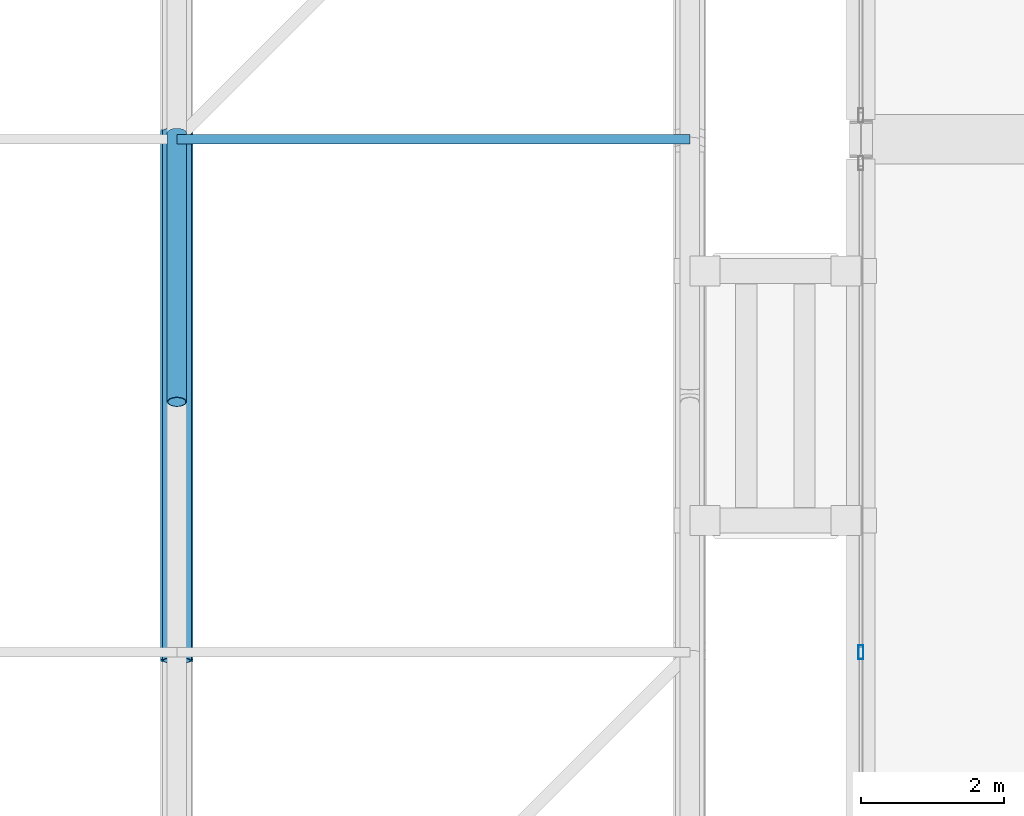
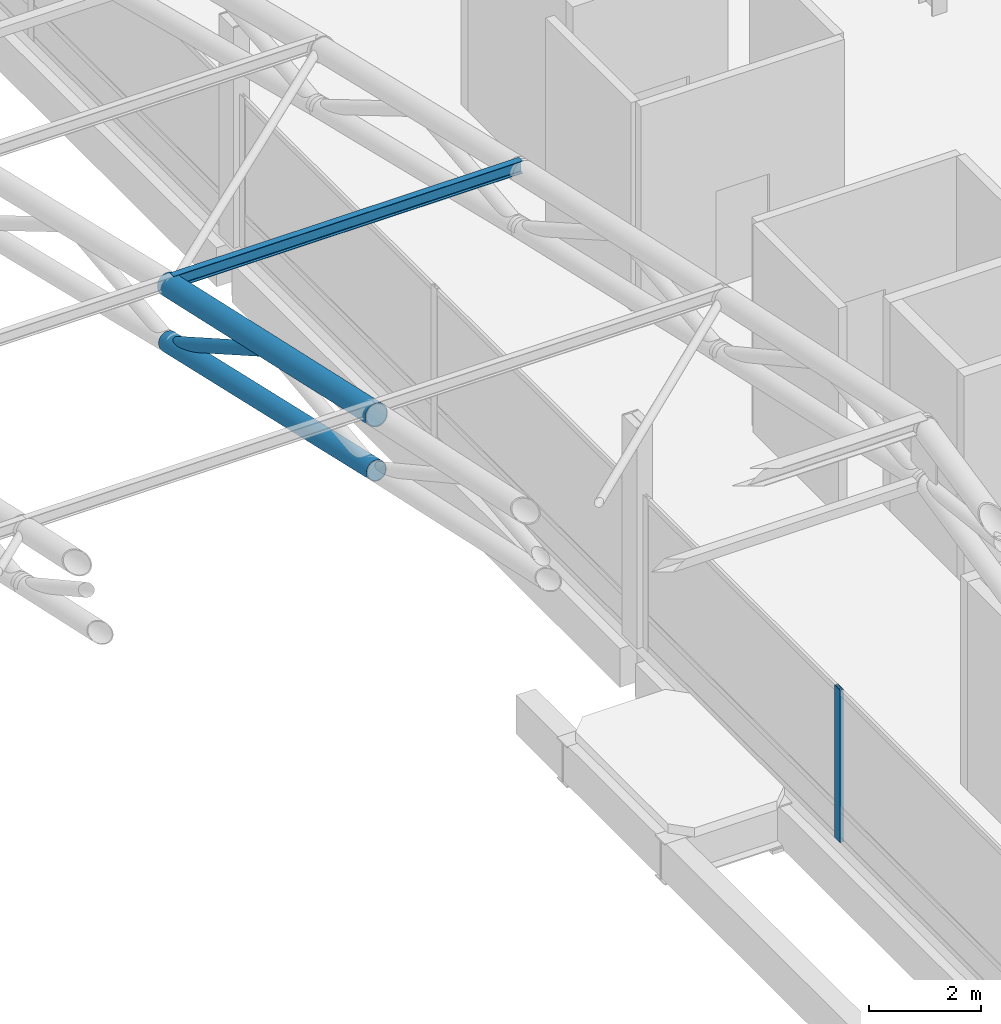
# One storey, part 53 of 193: 5 members, 1 element without a shape of its own.
"""IFC4 building model written with IfcOpenShell, lengths in metres."""

import ifcopenshell
import ifcopenshell.guid

model = None  # the IFC model being written
_history = None  # IfcOwnerHistory: only IFC2X3 demands one
_inside = {}  # id of a spatial element -> (the spatial element, [elements in it])
_under = {}  # id of a project, library or spatial element -> (it, [spatial elements below it])
_declared = {}  # id of a project -> (the project, [libraries it declares])
_typed = {}  # id of a type object -> (the type object, [elements of that type])
_made_of = {}  # id of a material, layer set ... -> (it, [elements and type objects made of it])


def new_model(schema):
    """Start an empty IFC model of exactly this schema.

    Asked for "IFC4X3", IfcOpenShell would pick the latest addendum, in which some entities
    have other attributes; the version numbers below select the first issue.
    IFC2X3 requires an IfcOwnerHistory on every rooted entity: one is made here for all.
    """
    global model, _history
    if schema == "IFC4X3":
        model = ifcopenshell.file(schema_version=(4, 3, 0, 0))
    else:
        model = ifcopenshell.file(schema=schema)
    _inside.clear()
    _under.clear()
    _declared.clear()
    _typed.clear()
    _made_of.clear()
    _history = None
    if model.schema == "IFC2X3":
        org = make("IfcOrganization", Name="unknown")
        user = make(
            "IfcPersonAndOrganization",
            ThePerson=make("IfcPerson", FamilyName="unknown"),
            TheOrganization=org,
        )
        app = make(
            "IfcApplication",
            ApplicationDeveloper=org,
            Version="unknown",
            ApplicationFullName="unknown",
            ApplicationIdentifier="unknown",
        )
        _history = make(
            "IfcOwnerHistory",
            OwningUser=user,
            OwningApplication=app,
            ChangeAction="ADDED",
            CreationDate=0,
        )
    return model


def make(cls, **values):
    """One entity of the class cls with the attributes given. An attribute that is None is left unset."""
    return model.create_entity(
        cls, **{name: value for name, value in values.items() if value is not None}
    )


def rooted(cls, **values):
    """An entity with a GlobalId (a new one), such as an element, a storey or a relation."""
    return make(cls, GlobalId=ifcopenshell.guid.new(), OwnerHistory=_history, **values)


def si_unit(unit_type, name, prefix=None):
    """IfcSIUnit, for example si_unit("LENGTHUNIT", "METRE", prefix="MILLI")."""
    return make("IfcSIUnit", UnitType=unit_type, Prefix=prefix, Name=name)


def assignment(units):
    """IfcUnitAssignment: the units of a project."""
    return None if units is None else make("IfcUnitAssignment", Units=units)


def point(xyz):
    """IfcCartesianPoint."""
    return None if xyz is None else make("IfcCartesianPoint", Coordinates=xyz)


def direction(xyz):
    """IfcDirection."""
    return None if xyz is None else make("IfcDirection", DirectionRatios=xyz)


def frame(location, z_axis=None, x_axis=None):
    """IfcAxis2Placement3D, a coordinate frame: its origin and axes. An axis left out is left unset."""
    return make(
        "IfcAxis2Placement3D",
        Location=point(location),
        Axis=direction(z_axis),
        RefDirection=direction(x_axis),
    )


def frame_2d(location, x_axis=None):
    """IfcAxis2Placement2D, a coordinate frame in the plane: its origin and x axis."""
    return make(
        "IfcAxis2Placement2D", Location=point(location), RefDirection=direction(x_axis)
    )


def origin():
    """The frame at (0, 0, 0) with its axes left unset."""
    return frame((0.0, 0.0, 0.0))


def origin_2d():
    """The frame at (0, 0) in the plane with its x axis left unset."""
    return frame_2d((0.0, 0.0))


def place(relative_to, where):
    """IfcLocalPlacement: puts the frame where relative to a parent placement (None: the world)."""
    return make(
        "IfcLocalPlacement", PlacementRelTo=relative_to, RelativePlacement=where
    )


def context(
    kind, dimensions, precision=None, world=None, true_north=None, identifier=None
):
    """IfcGeometricRepresentationContext, for example the 3D "Model" context."""
    return make(
        "IfcGeometricRepresentationContext",
        ContextIdentifier=identifier,
        ContextType=kind,
        CoordinateSpaceDimension=dimensions,
        Precision=precision,
        WorldCoordinateSystem=world,
        TrueNorth=true_north,
    )


def subcontext(parent, identifier, kind, view, scale=None):
    """IfcGeometricRepresentationSubContext, for example "Body" below "Model"."""
    return make(
        "IfcGeometricRepresentationSubContext",
        ContextIdentifier=identifier,
        ContextType=kind,
        ParentContext=parent,
        TargetScale=scale,
        TargetView=view,
    )


def project(units=None, contexts=None):
    """IfcProject with its units and contexts."""
    return rooted(
        "IfcProject",
        Name="project",
        RepresentationContexts=contexts,
        UnitsInContext=assignment(units),
    )


def spatial(cls, under=None, at=None, **own):
    """A site, building, storey or space (cls), placed at a placement, below another one or the project."""
    s = rooted(cls, ObjectPlacement=at, **own)
    if under is not None:
        _under.setdefault(under.id(), (under, []))[1].append(s)
    return s


def profile(cls, at=None, kind="AREA", **sizes):
    """A parametric profile (cls). Its sizes go by their IFC names, for example OverallWidth=200.0."""
    return make(cls, ProfileType=kind, Position=at, **sizes)


def hollow_rectangle(**sizes):
    """IfcRectangleHollowProfileDef."""
    return profile("IfcRectangleHollowProfileDef", **sizes)


def hollow_circle(**sizes):
    """IfcCircleHollowProfileDef."""
    return profile("IfcCircleHollowProfileDef", **sizes)


def i_section(**sizes):
    """IfcIShapeProfileDef."""
    return profile("IfcIShapeProfileDef", **sizes)


def extrude(swept, where, along, depth):
    """IfcExtrudedAreaSolid: the profile swept, set in the frame where, extruded along a direction by depth."""
    return make(
        "IfcExtrudedAreaSolid",
        SweptArea=swept,
        Position=where,
        ExtrudedDirection=direction(along),
        Depth=depth,
    )


def shape(context_of_items, identifier, shape_type, items):
    """IfcShapeRepresentation: the items that make up one representation, for example the "Body"."""
    return make(
        "IfcShapeRepresentation",
        ContextOfItems=context_of_items,
        RepresentationIdentifier=identifier,
        RepresentationType=shape_type,
        Items=items,
    )


def material(Name=None, Category=None):
    """IfcMaterial."""
    return make("IfcMaterial", Name=Name, Category=Category)


def material_profile(
    of_material, cross_section, Name=None, Category=None, Priority=None
):
    """IfcMaterialProfile: a cross section and its material."""
    return make(
        "IfcMaterialProfile",
        Name=Name,
        Material=of_material,
        Profile=cross_section,
        Priority=Priority,
        Category=Category,
    )


def profile_set(profiles, Name=None, composite=None):
    """IfcMaterialProfileSet."""
    return make(
        "IfcMaterialProfileSet",
        Name=Name,
        MaterialProfiles=profiles,
        CompositeProfile=composite,
    )


def made_of(thing, what):
    """Note that an element or type object is made of a material, layer set ...; save() writes the relation."""
    if what is not None:
        _made_of.setdefault(what.id(), (what, []))[1].append(thing)
    return thing


def type_object(cls, material=None, **own):
    """A type object (cls), such as IfcWallType, which elements share."""
    return made_of(rooted(cls, **own), material)


def element(
    cls,
    number,
    at=None,
    inside=None,
    cuts=None,
    type_object=None,
    material=None,
    context=None,
    identifier="Body",
    shape_type=None,
    held_by="IfcProductDefinitionShape",
    body=None,
    shapes=None,
    **own,
):
    """One element of the class cls, such as IfcWall. Its Tag is "e" and its number.

    at: its placement. inside: the storey or other place that contains it. cuts: it is an
    opening in that element (IfcRelVoidsElement). A single representation is given by context,
    identifier, shape_type and body (its items); several are given by shapes. held_by: the class
    of the entity that holds the representations. save() writes the other relations.
    """
    e = rooted(cls, Tag="e%d" % number, ObjectPlacement=at, **own)
    if body is not None:
        shapes = [shape(context, identifier, shape_type, body)]
    if shapes is not None:
        e.Representation = make(held_by, Representations=shapes)
    if inside is not None:
        _inside.setdefault(inside.id(), (inside, []))[1].append(e)
    if cuts is not None:
        rooted(
            "IfcRelVoidsElement", RelatingBuildingElement=cuts, RelatedOpeningElement=e
        )
    if type_object is not None:
        _typed.setdefault(type_object.id(), (type_object, []))[1].append(e)
    return made_of(e, material)


def aggregate(whole, parts):
    """IfcRelAggregates: a whole, such as a stair, and the parts it consists of."""
    return rooted("IfcRelAggregates", RelatingObject=whole, RelatedObjects=parts)


def save(model, path):
    """Write the relations noted so far, then the file.

    IfcRelAggregates (storeys below a building ...), IfcRelContainedInSpatialStructure (elements
    in a storey), IfcRelDefinesByType, IfcRelAssociatesMaterial and IfcRelDeclares: one each for
    every whole, place, type object, material and project.
    """
    for whole, parts in _under.values():
        aggregate(whole, parts)
    for where, things in _inside.values():
        rooted(
            "IfcRelContainedInSpatialStructure",
            RelatedElements=things,
            RelatingStructure=where,
        )
    for kind, things in _typed.values():
        rooted("IfcRelDefinesByType", RelatedObjects=things, RelatingType=kind)
    for what, things in _made_of.values():
        rooted("IfcRelAssociatesMaterial", RelatedObjects=things, RelatingMaterial=what)
    for by, libraries in _declared.values():
        rooted("IfcRelDeclares", RelatingContext=by, RelatedDefinitions=libraries)
    model.write(path)


model = new_model("IFC4")

# Units and contexts
model_context = context("Model", 3, precision=1e-05, world=origin(), true_north=direction((0.0, 1.0)))
body_context = subcontext(model_context, "Body", "Model", "MODEL_VIEW")
ifc_project = project(units=[si_unit("LENGTHUNIT", "METRE"), si_unit("AREAUNIT", "SQUARE_METRE"), si_unit("VOLUMEUNIT", "CUBIC_METRE"), si_unit("PLANEANGLEUNIT", "RADIAN"), si_unit("MASSUNIT", "GRAM", prefix="KILO")], contexts=[model_context])

# Site, building, storey
site_placement = place(None, origin())
site = spatial("IfcSite", under=ifc_project, at=site_placement, CompositionType="ELEMENT")
building_placement = place(site_placement, origin())
building = spatial("IfcBuilding", under=site, at=building_placement, Name="Cendralis Lancet Convention Centre", CompositionType="ELEMENT")
storey_placement = place(building_placement, frame((0.0, 0.0, 10.199951171875)))
storey = spatial("IfcBuildingStorey", under=building, at=storey_placement, Name="L02", CompositionType="ELEMENT", Elevation=10.199951171875)

# Curtain wall, member
ifc_material_1 = material(Name="Anodised bronze architectural aluminium", Category="aluminium")
curtain_wall_type = type_object("IfcCurtainWallType", Name="ARC-CW-BL01", PredefinedType="USERDEFINED", material=ifc_material_1)
curtain_wall_placement = place(storey_placement, origin())
curtain_wall = element("IfcCurtainWall", 1, at=curtain_wall_placement, inside=storey, type_object=curtain_wall_type, Name="L02 Curtain Wall CW-BL1 #157", ObjectType="CURTAIN WALL", PredefinedType="USERDEFINED")
ifc_material_profile_1 = material_profile(ifc_material_1, hollow_rectangle(XDim=0.070068359375, YDim=0.199951171875, WallThickness=0.0048828125, at=origin_2d()), Name="AL-MULL 70x200x5.0")
ifc_profile_set_1 = profile_set([ifc_material_profile_1], Name="Anodised bronze architectural aluminium")
member_type_1 = type_object("IfcMemberType", Name="ARC-CW-ML02", PredefinedType="MULLION", material=ifc_profile_set_1)
member_1_placement = place(storey_placement, frame((124.800048828125, 100.800048828125, 0.0), z_axis=(0.0, 0.0, 1.0), x_axis=(1.0, 0.0, 0.0)))
member_1 = element("IfcMember", 2, at=member_1_placement, type_object=member_type_1, Name="Mullion CW2-CW-BL1-L02-157-M1", PredefinedType="MULLION", context=body_context, shape_type="SweptSolid", body=[
    extrude(hollow_rectangle(XDim=0.070068359375, YDim=0.199951171875, WallThickness=0.0048828125, at=origin_2d()), origin(), (0.0, 0.0, 1.0), 3.324951171875),
])
aggregate(curtain_wall, [member_1])

# Members
ifc_material_2 = material(Name="Steel S355", Category="steel")
ifc_material_profile_2 = material_profile(ifc_material_2, i_section(OverallWidth=0.135009765625, OverallDepth=0.27001953125, WebThickness=0.006591796875, FlangeThickness=0.01025390625, FilletRadius=0.014892578125, at=origin_2d()), Name="IPE 270")
ifc_profile_set_2 = profile_set([ifc_material_profile_2], Name="Steel S355")
member_type_2 = type_object("IfcMemberType", Name="STR-PR-PR01", PredefinedType="PURLIN", material=ifc_profile_set_2)
member_2_placement = place(storey_placement, frame((115.199951171875, 108.0, 11.171875), z_axis=(1.0, 0.0, 0.0), x_axis=(0.0, 1.0, 0.0)))
element("IfcMember", 3, at=member_2_placement, inside=storey, type_object=member_type_2, Name="Vault Roof Purlin PR01 V1-13-08", PredefinedType="PURLIN", context=body_context, shape_type="SweptSolid", body=[
    extrude(i_section(OverallWidth=0.135009765625, OverallDepth=0.27001953125, WebThickness=0.006591796875, FlangeThickness=0.01025390625, FilletRadius=0.014892578125, at=origin_2d()), origin(), (0.0, 0.0, 1.0), 7.199951171875),
])
ifc_material_profile_3 = material_profile(ifc_material_2, hollow_circle(Radius=0.203125, WallThickness=0.01611328125, at=origin_2d()), Name="CHS 406.4x16.0")
ifc_profile_set_3 = profile_set([ifc_material_profile_3], Name="Steel S355")
member_type_3 = type_object("IfcMemberType", Name="STR-TR-BC01-INT", PredefinedType="CHORD", material=ifc_profile_set_3)
member_3_placement = place(storey_placement, frame((115.199951171875, 100.68310546875, 11.4736328125), z_axis=(0.0, 0.975002780506, -0.222192659658), x_axis=(-1.0, 0.0, 0.0)))
element("IfcMember", 4, at=member_3_placement, inside=storey, type_object=member_type_3, Name="ROOF TRUSS AT-V1-14 Bottom Chord 07", PredefinedType="CHORD", context=body_context, shape_type="SweptSolid", body=[
    extrude(hollow_circle(Radius=0.203125, WallThickness=0.01611328125, at=origin_2d()), origin(), (0.0, 0.0, 1.0), 7.62451171875),
])
ifc_material_profile_4 = material_profile(ifc_material_2, hollow_circle(Radius=0.228515625, WallThickness=0.02001953125, at=origin_2d()), Name="CHS 457.0x20.0")
ifc_profile_set_4 = profile_set([ifc_material_profile_4], Name="Steel S355")
member_type_4 = type_object("IfcMemberType", Name="STR-TR-TC01B-INT", PredefinedType="CHORD", material=ifc_profile_set_4)
member_4_placement = place(storey_placement, frame((115.199951171875, 100.682861328125, 12.686279296875), z_axis=(0.0, 0.976091178672, -0.217361475241), x_axis=(-1.0, 0.0, 0.0)))
element("IfcMember", 5, at=member_4_placement, inside=storey, type_object=member_type_4, Name="ROOF TRUSS AT-V1-14 Top Chord 07", PredefinedType="CHORD", context=body_context, shape_type="SweptSolid", body=[
    extrude(hollow_circle(Radius=0.228515625, WallThickness=0.02001953125, at=origin_2d()), origin(), (0.0, 0.0, 1.0), 7.616455078125),
])
ifc_material_profile_5 = material_profile(ifc_material_2, hollow_circle(Radius=0.136474609375, WallThickness=0.012451171875, at=origin_2d()), Name="CHS 273.0x12.5")
ifc_profile_set_5 = profile_set([ifc_material_profile_5], Name="Steel S355")
member_type_5 = type_object("IfcMemberType", Name="STR-TR-WD01B-INT", PredefinedType="BRACE", material=ifc_profile_set_5)
member_5_placement = place(storey_placement, frame((115.199951171875, 104.31298828125, 11.907958984375), z_axis=(0.0, 0.86877872096, -0.495200498795), x_axis=(-1.0, 0.0, 0.0)))
element("IfcMember", 6, at=member_5_placement, inside=storey, type_object=member_type_5, Name="ROOF TRUSS AT-V1-14 Warren Web 07-1", PredefinedType="BRACE", context=body_context, shape_type="SweptSolid", body=[
    extrude(hollow_circle(Radius=0.136474609375, WallThickness=0.012451171875, at=origin_2d()), origin(), (0.0, 0.0, 1.0), 4.343994140625),
])

save(model, "model.ifc")
